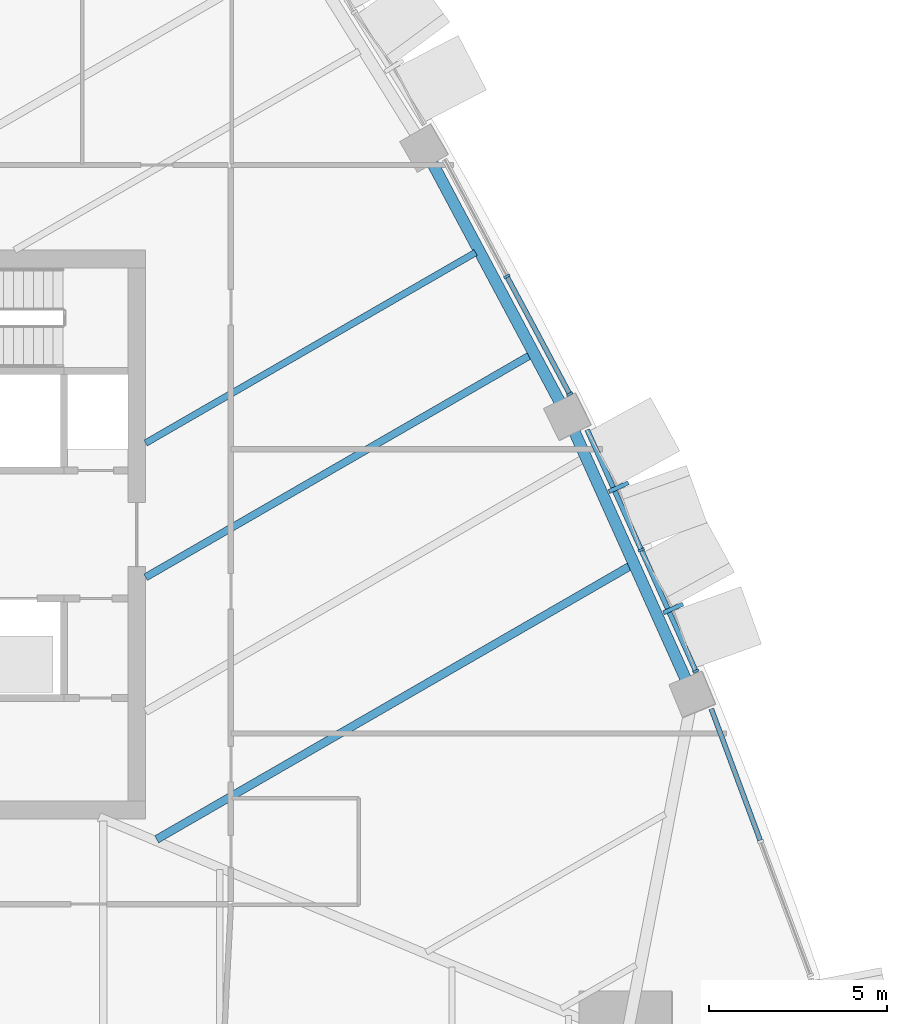
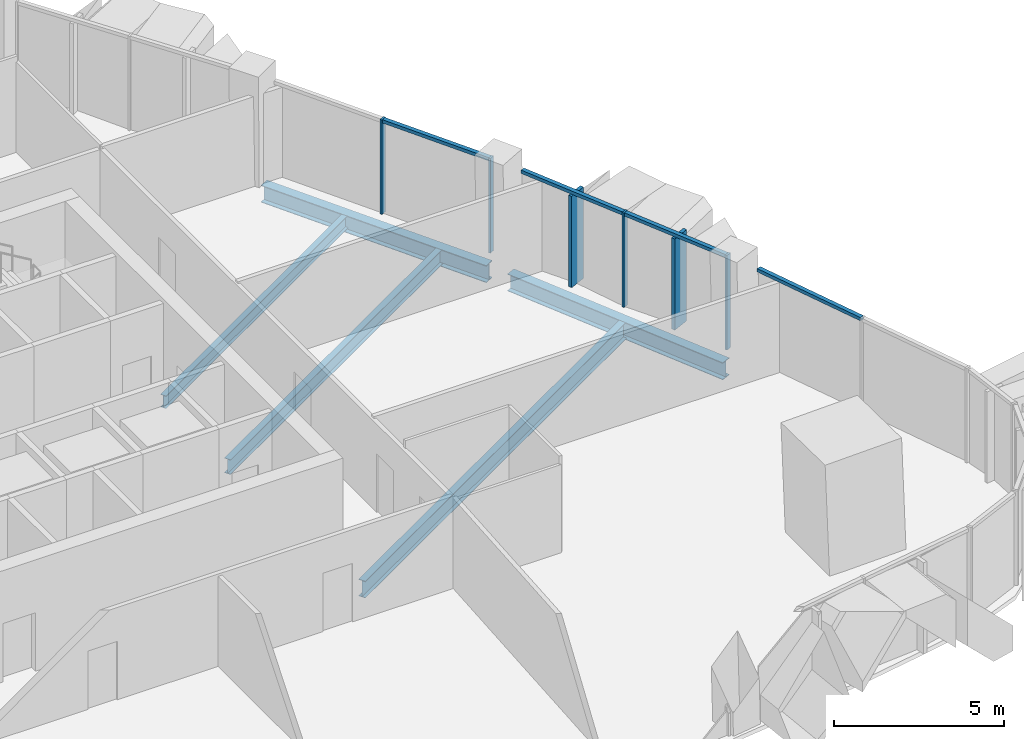
# One storey, part 5 of 17: 10 members, 5 beams, 3 elements without a shape of their own.
"""IFC4 building model written with IfcOpenShell, lengths in metres."""

from ifc_helpers import new_model, si_unit, direction, frame, origin, origin_2d, place, context, subcontext, project, spatial, rectangle, i_section, extrude, material, layer, layer_set, material_profile, profile_set, type_object, element, aggregate, save


model = new_model("IFC4")

# Units and contexts
model_context = context("Model", 3, precision=1e-05, world=origin(), true_north=direction((0.0, 1.0)))
body_context = subcontext(model_context, "Body", "Model", "MODEL_VIEW")
ifc_project = project(units=[si_unit("LENGTHUNIT", "METRE"), si_unit("AREAUNIT", "SQUARE_METRE"), si_unit("VOLUMEUNIT", "CUBIC_METRE"), si_unit("PLANEANGLEUNIT", "RADIAN"), si_unit("MASSUNIT", "GRAM", prefix="KILO")], contexts=[model_context])

# Site, building, storey
site_placement = place(None, origin())
site = spatial("IfcSite", under=ifc_project, at=site_placement, CompositionType="ELEMENT")
building_placement = place(site_placement, origin())
building = spatial("IfcBuilding", under=site, at=building_placement, Name="Sierra Prisma Convention Tower", CompositionType="ELEMENT")
storey_placement = place(building_placement, frame((0.0, 0.0, 145.800048828125)))
storey = spatial("IfcBuildingStorey", under=building, at=storey_placement, Name="L31", CompositionType="ELEMENT", Elevation=145.800048828125)

# Curtain wall, members
ifc_material_1 = material(Name="Aluminium and glass curtain wall", Category="aluminium")
ifc_layer_1 = layer(ifc_material_1, 0.179931640625)
ifc_layer_set_1 = layer_set([ifc_layer_1], Name="CW-2 Faceted crystal curtain wall")
curtain_wall_type_1 = type_object("IfcCurtainWallType", Name="CW-2 Faceted crystal curtain wall", PredefinedType="NOTDEFINED", material=ifc_layer_set_1)
curtain_wall_1_placement = place(storey_placement, origin())
curtain_wall_1 = element("IfcCurtainWall", 1, at=curtain_wall_1_placement, inside=storey, type_object=curtain_wall_type_1, Name="CW-2 NE2 L31", PredefinedType="NOTDEFINED")
ifc_material_2 = material(Name="Aluminium 6063-T6 bronze anodised", Category="aluminium")
ifc_material_profile_1 = material_profile(ifc_material_2, rectangle(XDim=0.1201171875, YDim=0.60009765625, at=origin_2d()), Name="ALU RIDGE BLADE 120x600")
ifc_profile_set_1 = profile_set([ifc_material_profile_1], Name="Aluminium 6063-T6 bronze anodised")
member_type_1 = type_object("IfcMemberType", Name="CW hip bronze", PredefinedType="MULLION", material=ifc_profile_set_1)
member_1_placement = place(storey_placement, frame((25.84716796875, -2.079833984375, 0.0), z_axis=(0.0, 0.0, 1.0), x_axis=(-0.410416281114, 0.911898281716, 0.0)))
member_1 = element("IfcMember", 2, at=member_1_placement, type_object=member_type_1, Name="CW-2 ridge NE2.1", PredefinedType="MULLION", context=body_context, shape_type="SweptSolid", body=[
    extrude(rectangle(XDim=0.1201171875, YDim=0.60009765625, at=origin_2d()), origin(), (0.0, 0.0, 1.0), 3.280029296875),
])
member_2_placement = place(storey_placement, frame((24.3115234375, 1.332275390625, 0.0), z_axis=(0.0, 0.0, 1.0), x_axis=(-0.410416281114, 0.911898281716, 0.0)))
member_2 = element("IfcMember", 3, at=member_2_placement, type_object=member_type_1, Name="CW-2 ridge NE2.2", PredefinedType="MULLION", context=body_context, shape_type="SweptSolid", body=[
    extrude(rectangle(XDim=0.1201171875, YDim=0.60009765625, at=origin_2d()), origin(), (0.0, 0.0, 1.0), 3.280029296875),
])
ifc_material_3 = material(Name="Aluminium 6063-T6 bronze anodised", Category="aluminium")
ifc_material_profile_2 = material_profile(ifc_material_3, rectangle(XDim=0.179931640625, YDim=0.070068359375, at=origin_2d()), Name="ALU MULLION 70x180")
ifc_profile_set_2 = profile_set([ifc_material_profile_2], Name="Aluminium 6063-T6 bronze anodised")
member_type_2 = type_object("IfcMemberType", Name="CW mullion bronze", PredefinedType="MULLION", material=ifc_profile_set_2)
member_3_placement = place(storey_placement, frame((26.4833984375, -3.845458984375, 0.0), z_axis=(0.0, 0.0, 1.0), x_axis=(-0.911898281716, -0.410416281114, 0.0)))
member_3 = element("IfcMember", 4, at=member_3_placement, type_object=member_type_2, Name="CW-1 mullion NE2.1", PredefinedType="MULLION", context=body_context, shape_type="SweptSolid", body=[
    extrude(rectangle(XDim=0.179931640625, YDim=0.070068359375, at=origin_2d()), origin(), (0.0, 0.0, 1.0), 3.39990234375),
])
member_4_placement = place(storey_placement, frame((24.947509765625, -0.43310546875, 0.0), z_axis=(0.0, 0.0, 1.0), x_axis=(-0.911898281716, -0.410416281114, 0.0)))
member_4 = element("IfcMember", 5, at=member_4_placement, type_object=member_type_2, Name="CW-1 mullion NE2.2", PredefinedType="MULLION", context=body_context, shape_type="SweptSolid", body=[
    extrude(rectangle(XDim=0.179931640625, YDim=0.070068359375, at=origin_2d()), origin(), (0.0, 0.0, 1.0), 3.39990234375),
])

ifc_material_4 = material(Name="Aluminium and glass curtain wall", Category="aluminium")
ifc_layer_2 = layer(ifc_material_4, 0.179931640625)
ifc_layer_set_2 = layer_set([ifc_layer_2], Name="CW-1 Plain shaft curtain wall")
curtain_wall_type_2 = type_object("IfcCurtainWallType", Name="CW-1 Plain shaft curtain wall", PredefinedType="NOTDEFINED", material=ifc_layer_set_2)
curtain_wall_2_placement = place(storey_placement, origin())
curtain_wall_2 = element("IfcCurtainWall", 6, at=curtain_wall_2_placement, inside=storey, type_object=curtain_wall_type_2, Name="CW-1 NE3 L31", PredefinedType="NOTDEFINED")
member_5_placement = place(storey_placement, frame((22.9345703125, 3.949951171875, 0.0), z_axis=(0.0, 0.0, 1.0), x_axis=(-0.882315905152, -0.47065767126, 0.0)))
member_5 = element("IfcMember", 7, at=member_5_placement, type_object=member_type_2, Name="CW-1 mullion NE3.1", PredefinedType="MULLION", context=body_context, shape_type="SweptSolid", body=[
    extrude(rectangle(XDim=0.179931640625, YDim=0.070068359375, at=origin_2d()), origin(), (0.0, 0.0, 1.0), 3.39990234375),
])
member_6_placement = place(storey_placement, frame((21.165771484375, 7.265869140625, 0.0), z_axis=(0.0, 0.0, 1.0), x_axis=(-0.882315905152, -0.47065767126, 0.0)))
member_6 = element("IfcMember", 8, at=member_6_placement, type_object=member_type_2, Name="CW-1 mullion NE3.2", PredefinedType="MULLION", context=body_context, shape_type="SweptSolid", body=[
    extrude(rectangle(XDim=0.179931640625, YDim=0.070068359375, at=origin_2d()), origin(), (0.0, 0.0, 1.0), 3.39990234375),
])

# Curtain wall, member
curtain_wall_3_placement = place(storey_placement, origin())
curtain_wall_3 = element("IfcCurtainWall", 9, at=curtain_wall_3_placement, inside=storey, type_object=curtain_wall_type_2, Name="CW-1 NE1 L31", PredefinedType="NOTDEFINED")
ifc_material_5 = material(Name="Aluminium 6063-T6 bronze anodised", Category="aluminium")
ifc_material_profile_3 = material_profile(ifc_material_5, rectangle(XDim=0.139892578125, YDim=0.1201171875, at=origin_2d()), Name="ALU TRANSOM 120x140")
ifc_profile_set_3 = profile_set([ifc_material_profile_3], Name="Aluminium 6063-T6 bronze anodised")
member_type_3 = type_object("IfcMemberType", Name="CW transom bronze", PredefinedType="USERDEFINED", material=ifc_profile_set_3)
member_7_placement = place(storey_placement, frame((28.293701171875, -8.60546875, 3.33984375), z_axis=(-0.348354364302, 0.937362916309, 0.0), x_axis=(-0.937362916309, -0.348354364302, 0.0)))
member_7 = element("IfcMember", 10, at=member_7_placement, type_object=member_type_3, Name="CW-1 transom NE1.2", ObjectType="TRANSOM", PredefinedType="USERDEFINED", context=body_context, shape_type="SweptSolid", body=[
    extrude(rectangle(XDim=0.139892578125, YDim=0.1201171875, at=origin_2d()), origin(), (0.0, 0.0, 1.0), 3.9443359375),
])
aggregate(curtain_wall_3, [member_7])

# Member
member_8_placement = place(storey_placement, frame((26.468994140625, -3.8134765625, 3.33984375), z_axis=(-0.410433791062, 0.911890400846, 0.0), x_axis=(-0.911890400846, -0.410433791062, 0.0)))
member_8 = element("IfcMember", 11, at=member_8_placement, type_object=member_type_3, Name="CW-1 transom NE2.1", ObjectType="TRANSOM", PredefinedType="USERDEFINED", context=body_context, shape_type="SweptSolid", body=[
    extrude(rectangle(XDim=0.139892578125, YDim=0.1201171875, at=origin_2d()), origin(), (0.0, 0.0, 1.0), 3.671875),
])

member_9_placement = place(storey_placement, frame((24.933349609375, -0.401123046875, 3.33984375), z_axis=(-0.410433791062, 0.911890400846, 0.0), x_axis=(-0.911890400846, -0.410433791062, 0.0)))
member_9 = element("IfcMember", 12, at=member_9_placement, type_object=member_type_3, Name="CW-1 transom NE2.2", ObjectType="TRANSOM", PredefinedType="USERDEFINED", context=body_context, shape_type="SweptSolid", body=[
    extrude(rectangle(XDim=0.139892578125, YDim=0.1201171875, at=origin_2d()), origin(), (0.0, 0.0, 1.0), 3.671875),
])

aggregate(curtain_wall_1, [member_3, member_4, member_8, member_1, member_9, member_2])

member_10_placement = place(storey_placement, frame((22.918212890625, 3.98095703125, 3.33984375), z_axis=(-0.470677567681, 0.882305291428, 0.0), x_axis=(-0.882305291428, -0.470677567681, 0.0)))
member_10 = element("IfcMember", 13, at=member_10_placement, type_object=member_type_3, Name="CW-1 transom NE3.1", ObjectType="TRANSOM", PredefinedType="USERDEFINED", context=body_context, shape_type="SweptSolid", body=[
    extrude(rectangle(XDim=0.139892578125, YDim=0.1201171875, at=origin_2d()), origin(), (0.0, 0.0, 1.0), 3.68798828125),
])

aggregate(curtain_wall_2, [member_5, member_6, member_10])

# Beams
ifc_material_6 = material(Name="Steel ASTM A992 Gr 50", Category="steel")
ifc_material_profile_4 = material_profile(ifc_material_6, i_section(OverallWidth=0.18994140625, OverallDepth=0.45703125, WebThickness=0.009033203125, FlangeThickness=0.014404296875, at=origin_2d()), Name="W460x74")
ifc_profile_set_4 = profile_set([ifc_material_profile_4], Name="Steel ASTM A992 Gr 50")
beam_type_1 = type_object("IfcBeamType", Name="Floor joist W460x74", PredefinedType="JOIST", material=ifc_profile_set_4)
beam_1_placement = place(storey_placement, frame((20.28515625, 7.9345703125, -0.378662109375), z_axis=(-0.866023288173, -0.500003664328, 0.0), x_axis=(0.500003664328, -0.866023288173, 0.0)))
element("IfcBeam", 14, at=beam_1_placement, inside=storey, type_object=beam_type_1, Name="Floor joist L31 NE07", PredefinedType="JOIST", context=body_context, shape_type="SweptSolid", body=[
    extrude(i_section(OverallWidth=0.18994140625, OverallDepth=0.45703125, WebThickness=0.009033203125, FlangeThickness=0.014404296875, at=origin_2d()), origin(), (0.0, 0.0, 1.0), 10.7216796875),
])
ifc_material_7 = material(Name="Steel ASTM A992 Gr 50", Category="steel")
ifc_material_profile_5 = material_profile(ifc_material_7, i_section(OverallWidth=0.208984375, OverallDepth=0.532958984375, WebThickness=0.01025390625, FlangeThickness=0.015625, at=origin_2d()), Name="W530x92")
ifc_profile_set_5 = profile_set([ifc_material_profile_5], Name="Steel ASTM A992 Gr 50")
beam_type_2 = type_object("IfcBeamType", Name="Floor joist W530x92", PredefinedType="JOIST", material=ifc_profile_set_5)
beam_2_placement = place(storey_placement, frame((21.82568359375, 5.046630859375, -0.41650390625), z_axis=(-0.866032724435, -0.499987320047, 0.0), x_axis=(0.499987320047, -0.866032724435, 0.0)))
element("IfcBeam", 15, at=beam_2_placement, inside=storey, type_object=beam_type_2, Name="Floor joist L31 NE06", PredefinedType="JOIST", context=body_context, shape_type="SweptSolid", body=[
    extrude(i_section(OverallWidth=0.208984375, OverallDepth=0.532958984375, WebThickness=0.01025390625, FlangeThickness=0.015625, at=origin_2d()), origin(), (0.0, 0.0, 1.0), 12.500244140625),
])
ifc_material_8 = material(Name="Steel ASTM A992 Gr 50", Category="steel")
ifc_material_profile_6 = material_profile(ifc_material_8, i_section(OverallWidth=0.22802734375, OverallDepth=0.60302734375, WebThickness=0.010498046875, FlangeThickness=0.014892578125, at=origin_2d()), Name="W610x101")
ifc_profile_set_6 = profile_set([ifc_material_profile_6], Name="Steel ASTM A992 Gr 50")
beam_type_3 = type_object("IfcBeamType", Name="Floor joist W610x101", PredefinedType="JOIST", material=ifc_profile_set_6)
beam_3_placement = place(storey_placement, frame((24.64208984375, -0.88134765625, -0.45166015625), z_axis=(-0.866020765707, -0.500008033299, 0.0), x_axis=(0.500008033299, -0.866020765707, 0.0)))
element("IfcBeam", 16, at=beam_3_placement, inside=storey, type_object=beam_type_3, Name="Floor joist L31 NE04", PredefinedType="JOIST", context=body_context, shape_type="SweptSolid", body=[
    extrude(i_section(OverallWidth=0.22802734375, OverallDepth=0.60302734375, WebThickness=0.010498046875, FlangeThickness=0.014892578125, at=origin_2d()), origin(), (0.0, 0.0, 1.0), 15.392333984375),
])
ifc_material_9 = material(Name="Steel ASTM A992 Gr 50", Category="steel")
ifc_material_profile_7 = material_profile(ifc_material_9, i_section(OverallWidth=0.324951171875, OverallDepth=0.615966796875, WebThickness=0.013916015625, FlangeThickness=0.021484375, at=origin_2d()), Name="W610x174")
ifc_profile_set_7 = profile_set([ifc_material_profile_7], Name="Steel ASTM A992 Gr 50")
beam_type_4 = type_object("IfcBeamType", Name="Spandrel beam W610x174", PredefinedType="BEAM", material=ifc_profile_set_7)
beam_4_placement = place(storey_placement, frame((26.2412109375, -4.159912109375, -0.4580078125), z_axis=(-0.410412743463, 0.911899873892, 0.0), x_axis=(-0.911899873892, -0.410412743463, 0.0)))
element("IfcBeam", 17, at=beam_4_placement, inside=storey, type_object=beam_type_4, Name="Spandrel L31-08", PredefinedType="BEAM", context=body_context, shape_type="SweptSolid", body=[
    extrude(i_section(OverallWidth=0.324951171875, OverallDepth=0.615966796875, WebThickness=0.013916015625, FlangeThickness=0.021484375, at=origin_2d()), origin(), (0.0, 0.0, 1.0), 7.814208984375),
])
beam_5_placement = place(storey_placement, frame((22.69921875, 3.648193359375, -0.4580078125), z_axis=(-0.470664447324, 0.882312290533, 0.0), x_axis=(-0.882312290533, -0.470664447324, 0.0)))
element("IfcBeam", 18, at=beam_5_placement, inside=storey, type_object=beam_type_4, Name="Spandrel L31-09", PredefinedType="BEAM", context=body_context, shape_type="SweptSolid", body=[
    extrude(i_section(OverallWidth=0.324951171875, OverallDepth=0.615966796875, WebThickness=0.013916015625, FlangeThickness=0.021484375, at=origin_2d()), origin(), (0.0, 0.0, 1.0), 7.814453125),
])

save(model, "model.ifc")
